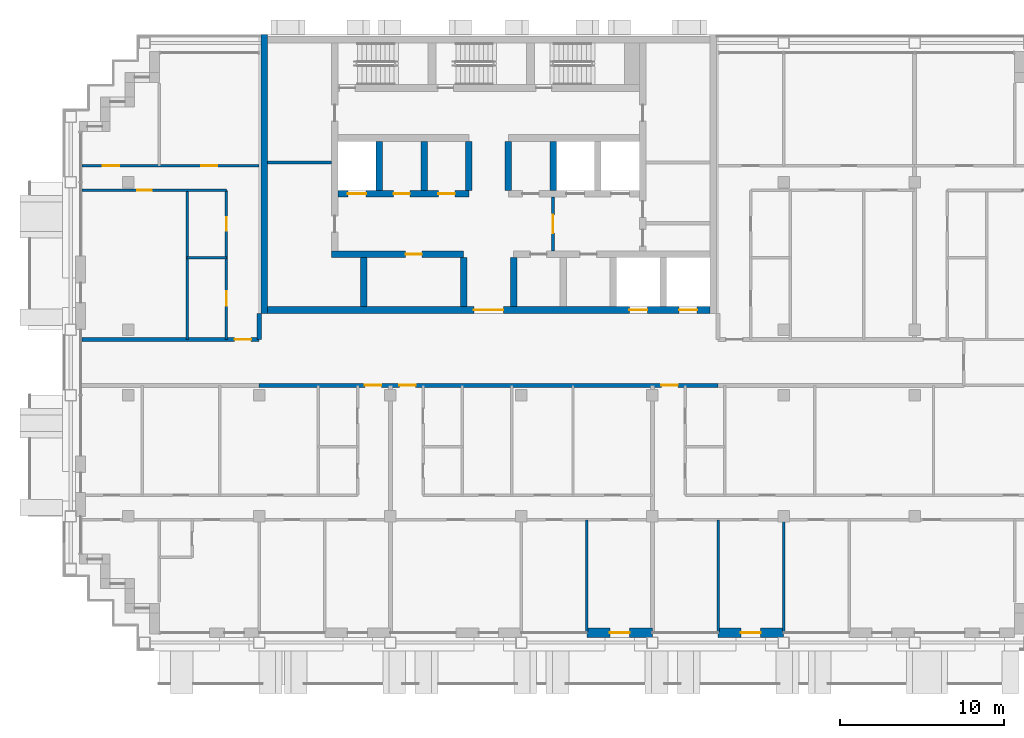
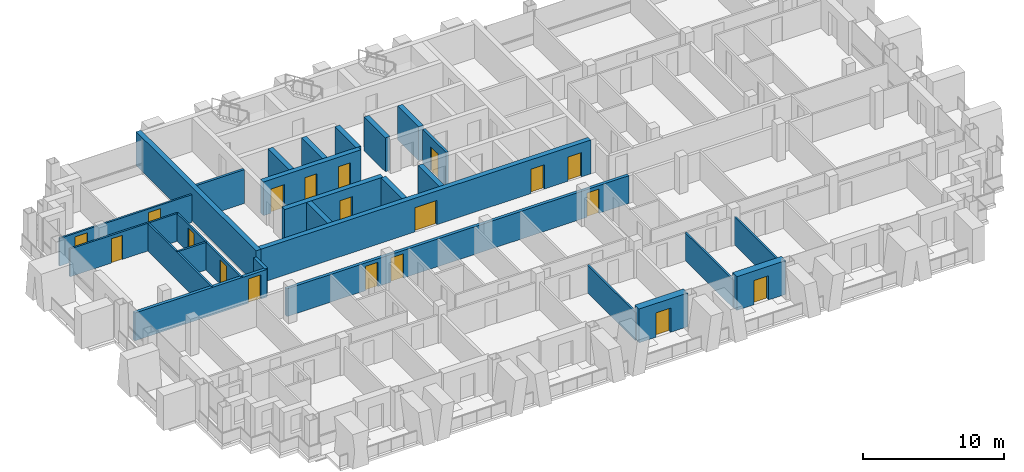
# One storey, part 9 of 16: 27 walls, 19 doors, 19 openings.
"""IFC4 building model written with IfcOpenShell, lengths in metres."""

from ifc_helpers import new_model, si_unit, direction, frame, frame_2d, origin, place, context, subcontext, project, spatial, rectangle, extrude, material, layer, layer_set, type_object, element, fill, save


model = new_model("IFC4")

# Units and contexts
model_context = context("Model", 3, precision=1e-05, world=origin(), true_north=direction((0.0, 1.0)))
body_context = subcontext(model_context, "Body", "Model", "MODEL_VIEW")
ifc_project = project(units=[si_unit("LENGTHUNIT", "METRE"), si_unit("AREAUNIT", "SQUARE_METRE"), si_unit("VOLUMEUNIT", "CUBIC_METRE"), si_unit("PLANEANGLEUNIT", "RADIAN"), si_unit("MASSUNIT", "GRAM", prefix="KILO")], contexts=[model_context])

# Site, building, storey
site_placement = place(None, origin())
site = spatial("IfcSite", under=ifc_project, at=site_placement, CompositionType="ELEMENT")
building_placement = place(site_placement, origin())
building = spatial("IfcBuilding", under=site, at=building_placement, Name="Vidyagriha Tower", CompositionType="ELEMENT")
storey_placement = place(building_placement, frame((0.0, 0.0, 171.699951171875)))
storey = spatial("IfcBuildingStorey", under=building, at=storey_placement, Name="L44", CompositionType="ELEMENT", Elevation=171.699951171875)

# Wall, opening, door
ifc_material_1 = material(Name="Precast concrete C40/50 with brick facing", Category="concrete")
ifc_layer_1 = layer(ifc_material_1, 0.60009765625)
ifc_layer_set_1 = layer_set([ifc_layer_1], Name="Precast concrete C40/50 with brick facing")
wall_type_1 = type_object("IfcWallType", Name="Brick-faced precast wall 600", PredefinedType="STANDARD", material=ifc_layer_set_1)
wall_1_placement = place(storey_placement, frame((6.0, -16.5, 0.0)))
wall_1 = element("IfcWall", 1, at=wall_1_placement, inside=storey, type_object=wall_type_1, Name="Brick door bay wall L44 R23.8", PredefinedType="STANDARD", context=body_context, shape_type="SweptSolid", body=[
    extrude(rectangle(XDim=4.0, YDim=0.60009765625, at=frame_2d((2.0, 0.0))), origin(), (0.0, 0.0, 1.0), 2.920166015625),
])
opening_1_placement = place(wall_1_placement, frame((1.39990234375, 0.0, 0.0)))
opening_1 = element("IfcOpeningElement", 2, at=opening_1_placement, cuts=wall_1, Name="Opening D44-73", PredefinedType="OPENING", context=body_context, shape_type="SweptSolid", body=[
    extrude(rectangle(XDim=1.199951171875, YDim=2.10009765625, at=frame_2d((0.60009765625, 1.050048828125))), frame((0.0, 0.31005859375, 0.0), z_axis=(0.0, -1.0, 0.0), x_axis=(1.0, 0.0, 0.0)), (0.0, 0.0, 1.0), 0.6201171875),
])
ifc_material_2 = material(Name="Aluminium framed glazed sliding door", Category="aluminium")
door_type_1 = type_object("IfcDoorType", Name="Balcony sliding door 1200x2100", OperationType="NOTDEFINED", PredefinedType="DOOR", material=ifc_material_2)
door_1_placement = place(opening_1_placement, origin())
door_1 = element("IfcDoor", 3, at=door_1_placement, inside=storey, type_object=door_type_1, Name="Door D44-73", OperationType="SLIDING_TO_LEFT", OverallHeight=2.10009765625, OverallWidth=1.199951171875, PredefinedType="DOOR", context=body_context, shape_type="SweptSolid", body=[
    extrude(rectangle(XDim=1.199951171875, YDim=2.10009765625, at=frame_2d((0.60009765625, 1.050048828125))), frame((0.0, 0.02490234375, 0.0), z_axis=(0.0, -1.0, 0.0), x_axis=(1.0, 0.0, 0.0)), (0.0, 0.0, 1.0), 0.050048828125),
])
fill(opening_1, door_1)

wall_2_placement = place(storey_placement, frame((14.0, -16.5, 0.0)))
wall_2 = element("IfcWall", 4, at=wall_2_placement, inside=storey, type_object=wall_type_1, Name="Brick door bay wall L44 R23.10", PredefinedType="STANDARD", context=body_context, shape_type="SweptSolid", body=[
    extrude(rectangle(XDim=4.0, YDim=0.60009765625, at=frame_2d((2.0, 0.0))), origin(), (0.0, 0.0, 1.0), 2.920166015625),
])
opening_2_placement = place(wall_2_placement, frame((1.39990234375, 0.0, 0.0)))
opening_2 = element("IfcOpeningElement", 5, at=opening_2_placement, cuts=wall_2, Name="Opening D44-74", PredefinedType="OPENING", context=body_context, shape_type="SweptSolid", body=[
    extrude(rectangle(XDim=1.199951171875, YDim=2.10009765625, at=frame_2d((0.60009765625, 1.050048828125))), frame((0.0, 0.31005859375, 0.0), z_axis=(0.0, -1.0, 0.0), x_axis=(1.0, 0.0, 0.0)), (0.0, 0.0, 1.0), 0.6201171875),
])
door_2_placement = place(opening_2_placement, origin())
door_2 = element("IfcDoor", 6, at=door_2_placement, inside=storey, type_object=door_type_1, Name="Door D44-74", OperationType="SLIDING_TO_LEFT", OverallHeight=2.10009765625, OverallWidth=1.199951171875, PredefinedType="DOOR", context=body_context, shape_type="SweptSolid", body=[
    extrude(rectangle(XDim=1.199951171875, YDim=2.10009765625, at=frame_2d((0.60009765625, 1.050048828125))), frame((0.0, 0.02490234375, 0.0), z_axis=(0.0, -1.0, 0.0), x_axis=(1.0, 0.0, 0.0)), (0.0, 0.0, 1.0), 0.050048828125),
])
fill(opening_2, door_2)

# Wall
ifc_material_3 = material(Name="Concrete C60/75", Category="concrete")
ifc_layer_2 = layer(ifc_material_3, 0.39990234375)
ifc_layer_set_2 = layer_set([ifc_layer_2], Name="Concrete C60/75")
wall_type_2 = type_object("IfcWallType", Name="Core shear wall 400 mm", PredefinedType="SHEAR", material=ifc_layer_set_2)
wall_3_placement = place(storey_placement, frame((-13.699951171875, 3.0, 0.0), z_axis=(0.0, 0.0, 1.0), x_axis=(0.0, 1.0, 0.0)))
element("IfcWall", 7, at=wall_3_placement, inside=storey, type_object=wall_type_2, Name="Core west wall", PredefinedType="SHEAR", context=body_context, shape_type="SweptSolid", body=[
    extrude(rectangle(XDim=17.0, YDim=0.39990234375, at=frame_2d((8.5, 0.0))), origin(), (0.0, 0.0, 1.0), 2.920166015625),
])

# Wall, openings, doors
wall_4_placement = place(storey_placement, frame((-13.5, 3.199951171875, 0.0)))
wall_4 = element("IfcWall", 8, at=wall_4_placement, inside=storey, type_object=wall_type_2, Name="Core front wall", PredefinedType="SHEAR", context=body_context, shape_type="SweptSolid", body=[
    extrude(rectangle(XDim=27.0, YDim=0.39990234375, at=frame_2d((13.5, 0.0))), origin(), (0.0, 0.0, 1.0), 2.920166015625),
])
opening_3_placement = place(wall_4_placement, frame((22.083251953125, 0.0, 0.0)))
opening_3 = element("IfcOpeningElement", 9, at=opening_3_placement, cuts=wall_4, Name="Opening LD44-01", PredefinedType="OPENING", context=body_context, shape_type="SweptSolid", body=[
    extrude(rectangle(XDim=1.10009765625, YDim=2.10009765625, at=frame_2d((0.550048828125, 1.050048828125))), frame((0.0, 0.2099609375, 0.0), z_axis=(0.0, -1.0, 0.0), x_axis=(1.0, 0.0, 0.0)), (0.0, 0.0, 1.0), 0.419921875),
])
opening_4_placement = place(wall_4_placement, frame((25.127685546875, 0.0, 0.0)))
opening_4 = element("IfcOpeningElement", 10, at=opening_4_placement, cuts=wall_4, Name="Opening LD44-02", PredefinedType="OPENING", context=body_context, shape_type="SweptSolid", body=[
    extrude(rectangle(XDim=1.10009765625, YDim=2.10009765625, at=frame_2d((0.550048828125, 1.050048828125))), frame((0.0, 0.2099609375, 0.0), z_axis=(0.0, -1.0, 0.0), x_axis=(1.0, 0.0, 0.0)), (0.0, 0.0, 1.0), 0.419921875),
])
opening_5_placement = place(wall_4_placement, frame((12.60009765625, 0.0, 0.0)))
opening_5 = element("IfcOpeningElement", 11, at=opening_5_placement, cuts=wall_4, Name="Opening D44-01", PredefinedType="OPENING", context=body_context, shape_type="SweptSolid", body=[
    extrude(rectangle(XDim=1.800048828125, YDim=2.10009765625, at=frame_2d((0.89990234375, 1.050048828125))), frame((0.0, 0.2099609375, 0.0), z_axis=(0.0, -1.0, 0.0), x_axis=(1.0, 0.0, 0.0)), (0.0, 0.0, 1.0), 0.419921875),
])
ifc_material_4 = material(Name="Hollow metal door leaf")
door_type_2 = type_object("IfcDoorType", Name="Core lobby double door 1800 x 2100 mm EI 60", OperationType="NOTDEFINED", PredefinedType="DOOR", material=ifc_material_4)
door_3_placement = place(opening_5_placement, frame((1.800048828125, 0.0, 0.0), z_axis=(0.0, 0.0, 1.0), x_axis=(-1.0, 0.0, 0.0)))
door_3 = element("IfcDoor", 12, at=door_3_placement, inside=storey, type_object=door_type_2, Name="Core entrance door L44", OperationType="DOUBLE_DOOR_SINGLE_SWING", OverallHeight=2.10009765625, OverallWidth=1.800048828125, PredefinedType="DOOR", context=body_context, shape_type="SweptSolid", body=[
    extrude(rectangle(XDim=1.800048828125, YDim=2.10009765625, at=frame_2d((0.89990234375, 1.050048828125))), frame((0.0, 0.02490234375, 0.0), z_axis=(0.0, -1.0, 0.0), x_axis=(1.0, 0.0, 0.0)), (0.0, 0.0, 1.0), 0.050048828125),
])
fill(opening_5, door_3)
ifc_material_5 = material(Name="Stainless steel sliding door panel", Category="steel")
door_type_3 = type_object("IfcDoorType", Name="Lift landing door 1100 x 2100 mm EI 90", OperationType="NOTDEFINED", PredefinedType="DOOR", material=ifc_material_5)
door_4_placement = place(opening_3_placement, origin())
door_4 = element("IfcDoor", 13, at=door_4_placement, inside=storey, type_object=door_type_3, Name="Landing door MR1 L44", OperationType="SLIDING_TO_LEFT", OverallHeight=2.10009765625, OverallWidth=1.10009765625, PredefinedType="DOOR", context=body_context, shape_type="SweptSolid", body=[
    extrude(rectangle(XDim=1.10009765625, YDim=2.10009765625, at=frame_2d((0.550048828125, 1.050048828125))), frame((0.0, 0.02490234375, 0.0), z_axis=(0.0, -1.0, 0.0), x_axis=(1.0, 0.0, 0.0)), (0.0, 0.0, 1.0), 0.050048828125),
])
fill(opening_3, door_4)
door_5_placement = place(opening_4_placement, origin())
door_5 = element("IfcDoor", 14, at=door_5_placement, inside=storey, type_object=door_type_3, Name="Landing door MR2 L44", OperationType="SLIDING_TO_LEFT", OverallHeight=2.10009765625, OverallWidth=1.10009765625, PredefinedType="DOOR", context=body_context, shape_type="SweptSolid", body=[
    extrude(rectangle(XDim=1.10009765625, YDim=2.10009765625, at=frame_2d((0.550048828125, 1.050048828125))), frame((0.0, 0.02490234375, 0.0), z_axis=(0.0, -1.0, 0.0), x_axis=(1.0, 0.0, 0.0)), (0.0, 0.0, 1.0), 0.050048828125),
])
fill(opening_4, door_5)

# Wall, opening, door
wall_5_placement = place(storey_placement, frame((-9.60009765625, 6.60009765625, 0.0)))
wall_5 = element("IfcWall", 15, at=wall_5_placement, inside=storey, type_object=wall_type_2, Name="Core lobby south wall west", PredefinedType="SHEAR", context=body_context, shape_type="SweptSolid", body=[
    extrude(rectangle(XDim=8.077880859375, YDim=0.39990234375, at=frame_2d((4.0390625, 0.0))), origin(), (0.0, 0.0, 1.0), 2.920166015625),
])
opening_6_placement = place(wall_5_placement, frame((4.533203125, 0.0, 0.0)))
opening_6 = element("IfcOpeningElement", 16, at=opening_6_placement, cuts=wall_5, Name="Opening D44-02", PredefinedType="OPENING", context=body_context, shape_type="SweptSolid", body=[
    extrude(rectangle(XDim=1.0, YDim=2.10009765625, at=frame_2d((0.5, 1.050048828125))), frame((0.0, 0.2099609375, 0.0), z_axis=(0.0, -1.0, 0.0), x_axis=(1.0, 0.0, 0.0)), (0.0, 0.0, 1.0), 0.419921875),
])
ifc_material_6 = material(Name="Hollow metal door leaf")
door_type_4 = type_object("IfcDoorType", Name="Core room door 1000 x 2100 mm EI 60", OperationType="NOTDEFINED", PredefinedType="DOOR", material=ifc_material_6)
door_6_placement = place(opening_6_placement, origin())
door_6 = element("IfcDoor", 17, at=door_6_placement, inside=storey, type_object=door_type_4, Name="Door Communications Room 44.01", OperationType="SINGLE_SWING_RIGHT", OverallHeight=2.10009765625, OverallWidth=1.0, PredefinedType="DOOR", context=body_context, shape_type="SweptSolid", body=[
    extrude(rectangle(XDim=1.0, YDim=2.10009765625, at=frame_2d((0.5, 1.050048828125))), frame((0.0, 0.02490234375, 0.0), z_axis=(0.0, -1.0, 0.0), x_axis=(1.0, 0.0, 0.0)), (0.0, 0.0, 1.0), 0.050048828125),
])
fill(opening_6, door_6)

# Walls
for number, where, z_axis, x_axis, name in (
    (18, (-7.611083984375, 3.39990234375, 0.0), (0.0, 0.0, 1.0), (0.0, 1.0, 0.0), "Core bay wall S2"),
    (19, (-1.522216796875, 3.39990234375, 0.0), (0.0, 0.0, 1.0), (0.0, 1.0, 0.0), "Core bay wall S4"),
    (20, (1.522216796875, 3.39990234375, 0.0), (0.0, 0.0, 1.0), (0.0, 1.0, 0.0), "Core bay wall S5"),
):
    element("IfcWall", number, at=place(storey_placement, frame(where, z_axis=z_axis, x_axis=x_axis)), inside=storey, type_object=wall_type_2, Name=name, PredefinedType="SHEAR", context=body_context, shape_type="SweptSolid", body=[
        extrude(rectangle(XDim=3.0, YDim=0.39990234375, at=frame_2d((1.5, 0.0))), origin(), (0.0, 0.0, 1.0), 2.920166015625),
    ])

# Wall, openings, doors
wall_6_placement = place(storey_placement, frame((-9.199951171875, 10.300048828125, 0.0)))
wall_6 = element("IfcWall", 21, at=wall_6_placement, inside=storey, type_object=wall_type_2, Name="Core row N front wall", PredefinedType="SHEAR", context=body_context, shape_type="SweptSolid", body=[
    extrude(rectangle(XDim=8.0, YDim=0.39990234375, at=frame_2d((4.0, 0.0))), origin(), (0.0, 0.0, 1.0), 2.920166015625),
])
opening_7_placement = place(wall_6_placement, frame((0.61669921875, 0.0, 0.0)))
opening_7 = element("IfcOpeningElement", 22, at=opening_7_placement, cuts=wall_6, Name="Opening LD44-03", PredefinedType="OPENING", context=body_context, shape_type="SweptSolid", body=[
    extrude(rectangle(XDim=1.10009765625, YDim=2.10009765625, at=frame_2d((0.550048828125, 1.050048828125))), frame((0.0, 0.2099609375, 0.0), z_axis=(0.0, -1.0, 0.0), x_axis=(1.0, 0.0, 0.0)), (0.0, 0.0, 1.0), 0.419921875),
])
opening_8_placement = place(wall_6_placement, frame((3.39990234375, 0.0, 0.0)))
opening_8 = element("IfcOpeningElement", 23, at=opening_8_placement, cuts=wall_6, Name="Opening D44-05", PredefinedType="OPENING", context=body_context, shape_type="SweptSolid", body=[
    extrude(rectangle(XDim=1.0, YDim=2.10009765625, at=frame_2d((0.5, 1.050048828125))), frame((0.0, 0.2099609375, 0.0), z_axis=(0.0, -1.0, 0.0), x_axis=(1.0, 0.0, 0.0)), (0.0, 0.0, 1.0), 0.419921875),
])
opening_9_placement = place(wall_6_placement, frame((6.13330078125, 0.0, 0.0)))
opening_9 = element("IfcOpeningElement", 24, at=opening_9_placement, cuts=wall_6, Name="Opening D44-06", PredefinedType="OPENING", context=body_context, shape_type="SweptSolid", body=[
    extrude(rectangle(XDim=1.0, YDim=2.10009765625, at=frame_2d((0.5, 1.050048828125))), frame((0.0, 0.2099609375, 0.0), z_axis=(0.0, -1.0, 0.0), x_axis=(1.0, 0.0, 0.0)), (0.0, 0.0, 1.0), 0.419921875),
])
door_7_placement = place(opening_8_placement, frame((1.0, 0.0, 0.0), z_axis=(0.0, 0.0, 1.0), x_axis=(-1.0, 0.0, 0.0)))
door_7 = element("IfcDoor", 25, at=door_7_placement, inside=storey, type_object=door_type_4, Name="Door Switchgear Room 44.14", OperationType="SINGLE_SWING_RIGHT", OverallHeight=2.10009765625, OverallWidth=1.0, PredefinedType="DOOR", context=body_context, shape_type="SweptSolid", body=[
    extrude(rectangle(XDim=1.0, YDim=2.10009765625, at=frame_2d((0.5, 1.050048828125))), frame((0.0, 0.02490234375, 0.0), z_axis=(0.0, -1.0, 0.0), x_axis=(1.0, 0.0, 0.0)), (0.0, 0.0, 1.0), 0.050048828125),
])
fill(opening_8, door_7)
door_8_placement = place(opening_9_placement, frame((1.0, 0.0, 0.0), z_axis=(0.0, 0.0, 1.0), x_axis=(-1.0, 0.0, 0.0)))
door_8 = element("IfcDoor", 26, at=door_8_placement, inside=storey, type_object=door_type_4, Name="Door Electrical Room 44.15", OperationType="SINGLE_SWING_LEFT", OverallHeight=2.10009765625, OverallWidth=1.0, PredefinedType="DOOR", context=body_context, shape_type="SweptSolid", body=[
    extrude(rectangle(XDim=1.0, YDim=2.10009765625, at=frame_2d((0.5, 1.050048828125))), frame((0.0, 0.02490234375, 0.0), z_axis=(0.0, -1.0, 0.0), x_axis=(1.0, 0.0, 0.0)), (0.0, 0.0, 1.0), 0.050048828125),
])
fill(opening_9, door_8)
door_9_placement = place(opening_7_placement, origin())
door_9 = element("IfcDoor", 27, at=door_9_placement, inside=storey, type_object=door_type_3, Name="Landing door MR3 L44", OperationType="SLIDING_TO_LEFT", OverallHeight=2.10009765625, OverallWidth=1.10009765625, PredefinedType="DOOR", context=body_context, shape_type="SweptSolid", body=[
    extrude(rectangle(XDim=1.10009765625, YDim=2.10009765625, at=frame_2d((0.550048828125, 1.050048828125))), frame((0.0, 0.02490234375, 0.0), z_axis=(0.0, -1.0, 0.0), x_axis=(1.0, 0.0, 0.0)), (0.0, 0.0, 1.0), 0.050048828125),
])
fill(opening_7, door_9)

# Walls
for number, where, z_axis, x_axis, name in (
    (28, (-6.666748046875, 10.5, 0.0), (0.0, 0.0, 1.0), (0.0, 1.0, 0.0), "Core bay wall N1"),
    (29, (-3.933349609375, 10.5, 0.0), (0.0, 0.0, 1.0), (0.0, 1.0, 0.0), "Core bay wall N2"),
    (30, (-1.199951171875, 10.5, 0.0), (0.0, 0.0, 1.0), (0.0, 1.0, 0.0), "Core bay wall N3"),
    (31, (1.199951171875, 10.5, 0.0), (0.0, 0.0, 1.0), (0.0, 1.0, 0.0), "Core bay wall N4"),
    (32, (3.933349609375, 10.5, 0.0), (0.0, 0.0, 1.0), (0.0, 1.0, 0.0), "Core bay wall N5"),
):
    element("IfcWall", number, at=place(storey_placement, frame(where, z_axis=z_axis, x_axis=x_axis)), inside=storey, type_object=wall_type_2, Name=name, PredefinedType="SHEAR", context=body_context, shape_type="SweptSolid", body=[
        extrude(rectangle(XDim=3.0, YDim=0.39990234375, at=frame_2d((1.5, 0.0))), origin(), (0.0, 0.0, 1.0), 2.920166015625),
    ])

# Wall, opening, door
ifc_material_7 = material(Name="Fired clay brick masonry", Category="masonry")
ifc_layer_3 = layer(ifc_material_7, 0.25)
ifc_layer_set_3 = layer_set([ifc_layer_3], Name="Fired clay brick masonry")
wall_type_3 = type_object("IfcWallType", Name="Fired clay brick corridor wall 250", PredefinedType="PARTITIONING", material=ifc_layer_set_3)
wall_7_placement = place(storey_placement, frame((-24.820068359375, 1.39990234375, 0.0)))
wall_7 = element("IfcWall", 33, at=wall_7_placement, inside=storey, type_object=wall_type_3, Name="Wall all-L44-w081", PredefinedType="PARTITIONING", context=body_context, shape_type="SweptSolid", body=[
    extrude(rectangle(XDim=10.820068359375, YDim=0.25, at=frame_2d((5.41015625, 0.0))), origin(), (0.0, 0.0, 1.0), 2.400146484375),
])
opening_10_placement = place(wall_7_placement, frame((9.320068359375, 0.0, 0.0)))
opening_10 = element("IfcOpeningElement", 34, at=opening_10_placement, cuts=wall_7, Name="Opening D44-53", PredefinedType="OPENING", context=body_context, shape_type="SweptSolid", body=[
    extrude(rectangle(XDim=1.0, YDim=2.10009765625, at=frame_2d((0.5, 1.050048828125))), frame((0.0, 0.135009765625, 0.0), z_axis=(0.0, -1.0, 0.0), x_axis=(1.0, 0.0, 0.0)), (0.0, 0.0, 1.0), 0.27001953125),
])
ifc_material_8 = material(Name="Fire-rated timber door leaf EI 60", Category="wood")
door_type_5 = type_object("IfcDoorType", Name="Flat entrance fire door 1000x2100", OperationType="NOTDEFINED", PredefinedType="DOOR", material=ifc_material_8)
door_10_placement = place(opening_10_placement, origin())
door_10 = element("IfcDoor", 35, at=door_10_placement, inside=storey, type_object=door_type_5, Name="Door D44-53", OperationType="SINGLE_SWING_RIGHT", OverallHeight=2.10009765625, OverallWidth=1.0, PredefinedType="DOOR", context=body_context, shape_type="SweptSolid", body=[
    extrude(rectangle(XDim=1.0, YDim=2.10009765625, at=frame_2d((0.5, 1.050048828125))), frame((0.0, 0.02490234375, 0.0), z_axis=(0.0, -1.0, 0.0), x_axis=(1.0, 0.0, 0.0)), (0.0, 0.0, 1.0), 0.050048828125),
])
fill(opening_10, door_10)

# Wall, openings, doors
wall_8_placement = place(storey_placement, frame((14.0, -1.39990234375, 0.0), z_axis=(0.0, 0.0, 1.0), x_axis=(-1.0, 0.0, 0.0)))
wall_8 = element("IfcWall", 36, at=wall_8_placement, inside=storey, type_object=wall_type_3, Name="Wall all-L44-w113", PredefinedType="PARTITIONING", context=body_context, shape_type="SweptSolid", body=[
    extrude(rectangle(XDim=28.0, YDim=0.25, at=frame_2d((14.0, 0.0))), origin(), (0.0, 0.0, 1.0), 2.400146484375),
])
opening_11_placement = place(wall_8_placement, frame((20.547119140625, 0.0, 0.0)))
opening_11 = element("IfcOpeningElement", 37, at=opening_11_placement, cuts=wall_8, Name="Opening D44-27", PredefinedType="OPENING", context=body_context, shape_type="SweptSolid", body=[
    extrude(rectangle(XDim=1.0, YDim=2.10009765625, at=frame_2d((0.5, 1.050048828125))), frame((0.0, 0.135009765625, 0.0), z_axis=(0.0, -1.0, 0.0), x_axis=(1.0, 0.0, 0.0)), (0.0, 0.0, 1.0), 0.27001953125),
])
opening_12_placement = place(wall_8_placement, frame((18.452880859375, 0.0, 0.0)))
opening_12 = element("IfcOpeningElement", 38, at=opening_12_placement, cuts=wall_8, Name="Opening D44-36", PredefinedType="OPENING", context=body_context, shape_type="SweptSolid", body=[
    extrude(rectangle(XDim=1.0, YDim=2.10009765625, at=frame_2d((0.5, 1.050048828125))), frame((0.0, 0.135009765625, 0.0), z_axis=(0.0, -1.0, 0.0), x_axis=(1.0, 0.0, 0.0)), (0.0, 0.0, 1.0), 0.27001953125),
])
opening_13_placement = place(wall_8_placement, frame((2.452880859375, 0.0, 0.0)))
opening_13 = element("IfcOpeningElement", 39, at=opening_13_placement, cuts=wall_8, Name="Opening D44-47", PredefinedType="OPENING", context=body_context, shape_type="SweptSolid", body=[
    extrude(rectangle(XDim=1.0, YDim=2.10009765625, at=frame_2d((0.5, 1.050048828125))), frame((0.0, 0.135009765625, 0.0), z_axis=(0.0, -1.0, 0.0), x_axis=(1.0, 0.0, 0.0)), (0.0, 0.0, 1.0), 0.27001953125),
])
door_11_placement = place(opening_11_placement, origin())
door_11 = element("IfcDoor", 40, at=door_11_placement, inside=storey, type_object=door_type_5, Name="Door D44-27", OperationType="SINGLE_SWING_LEFT", OverallHeight=2.10009765625, OverallWidth=1.0, PredefinedType="DOOR", context=body_context, shape_type="SweptSolid", body=[
    extrude(rectangle(XDim=1.0, YDim=2.10009765625, at=frame_2d((0.5, 1.050048828125))), frame((0.0, 0.02490234375, 0.0), z_axis=(0.0, -1.0, 0.0), x_axis=(1.0, 0.0, 0.0)), (0.0, 0.0, 1.0), 0.050048828125),
])
fill(opening_11, door_11)
door_12_placement = place(opening_12_placement, origin())
door_12 = element("IfcDoor", 41, at=door_12_placement, inside=storey, type_object=door_type_5, Name="Door D44-36", OperationType="SINGLE_SWING_RIGHT", OverallHeight=2.10009765625, OverallWidth=1.0, PredefinedType="DOOR", context=body_context, shape_type="SweptSolid", body=[
    extrude(rectangle(XDim=1.0, YDim=2.10009765625, at=frame_2d((0.5, 1.050048828125))), frame((0.0, 0.02490234375, 0.0), z_axis=(0.0, -1.0, 0.0), x_axis=(1.0, 0.0, 0.0)), (0.0, 0.0, 1.0), 0.050048828125),
])
fill(opening_12, door_12)
door_13_placement = place(opening_13_placement, origin())
door_13 = element("IfcDoor", 42, at=door_13_placement, inside=storey, type_object=door_type_5, Name="Door D44-47", OperationType="SINGLE_SWING_RIGHT", OverallHeight=2.10009765625, OverallWidth=1.0, PredefinedType="DOOR", context=body_context, shape_type="SweptSolid", body=[
    extrude(rectangle(XDim=1.0, YDim=2.10009765625, at=frame_2d((0.5, 1.050048828125))), frame((0.0, 0.02490234375, 0.0), z_axis=(0.0, -1.0, 0.0), x_axis=(1.0, 0.0, 0.0)), (0.0, 0.0, 1.0), 0.050048828125),
])
fill(opening_13, door_13)

# Walls
wall_9_placement = place(storey_placement, frame((-14.0, 3.0, 0.0), z_axis=(0.0, 0.0, 1.0), x_axis=(0.0, -1.0, 0.0)))
element("IfcWall", 43, at=wall_9_placement, inside=storey, type_object=wall_type_3, Name="Wall all-L44-w114", PredefinedType="PARTITIONING", context=body_context, shape_type="SweptSolid", body=[
    extrude(rectangle(XDim=1.60009765625, YDim=0.25, at=frame_2d((0.800048828125, 0.0))), origin(), (0.0, 0.0, 1.0), 2.400146484375),
])
ifc_material_9 = material(Name="Gypsum board partition")
ifc_layer_4 = layer(ifc_material_9, 0.14990234375)
ifc_layer_set_4 = layer_set([ifc_layer_4], Name="Gypsum board partition")
wall_type_4 = type_object("IfcWallType", Name="Gypsum board partition 150", PredefinedType="PARTITIONING", material=ifc_layer_set_4)
for number, where, z_axis, x_axis, name in (
    (44, (6.0, -9.60009765625, 0.0), (0.0, 0.0, 1.0), (0.0, -1.0, 0.0), "Wall all-L44-w040"),
    (45, (14.0, -9.60009765625, 0.0), (0.0, 0.0, 1.0), (0.0, -1.0, 0.0), "Wall all-L44-w060"),
):
    element("IfcWall", number, at=place(storey_placement, frame(where, z_axis=z_axis, x_axis=x_axis)), inside=storey, type_object=wall_type_4, Name=name, PredefinedType="PARTITIONING", context=body_context, shape_type="SweptSolid", body=[
        extrude(rectangle(XDim=6.82080078125, YDim=0.14990234375, at=frame_2d((3.410400390625, 0.0))), origin(), (0.0, 0.0, 1.0), 2.400146484375),
    ])
wall_10_placement = place(storey_placement, frame((18.0, -9.60009765625, 0.0), z_axis=(0.0, 0.0, 1.0), x_axis=(0.0, -1.0, 0.0)))
element("IfcWall", 46, at=wall_10_placement, inside=storey, type_object=wall_type_4, Name="Wall all-L44-w061", PredefinedType="PARTITIONING", context=body_context, shape_type="SweptSolid", body=[
    extrude(rectangle(XDim=6.809814453125, YDim=0.14990234375, at=frame_2d((3.40478515625, 0.0))), origin(), (0.0, 0.0, 1.0), 2.400146484375),
])
wall_11_placement = place(storey_placement, frame((-18.39990234375, 6.39990234375, 0.0)))
element("IfcWall", 47, at=wall_11_placement, inside=storey, type_object=wall_type_4, Name="Wall all-L44-w072", PredefinedType="PARTITIONING", context=body_context, shape_type="SweptSolid", body=[
    extrude(rectangle(XDim=2.39990234375, YDim=0.14990234375, at=frame_2d((1.199951171875, 0.0))), origin(), (0.0, 0.0, 1.0), 2.400146484375),
])
wall_12_placement = place(storey_placement, frame((-18.39990234375, 1.39990234375, 0.0), z_axis=(0.0, 0.0, 1.0), x_axis=(0.0, 1.0, 0.0)))
element("IfcWall", 48, at=wall_12_placement, inside=storey, type_object=wall_type_4, Name="Wall all-L44-w073", PredefinedType="PARTITIONING", context=body_context, shape_type="SweptSolid", body=[
    extrude(rectangle(XDim=9.10009765625, YDim=0.14990234375, at=frame_2d((4.550048828125, 0.0))), origin(), (0.0, 0.0, 1.0), 2.400146484375),
])

# Wall, opening, door
wall_13_placement = place(storey_placement, frame((-16.0, 10.5, 0.0), z_axis=(0.0, 0.0, 1.0), x_axis=(-1.0, 0.0, 0.0)))
wall_13 = element("IfcWall", 49, at=wall_13_placement, inside=storey, type_object=wall_type_4, Name="Wall all-L44-w074", PredefinedType="PARTITIONING", context=body_context, shape_type="SweptSolid", body=[
    extrude(rectangle(XDim=8.820068359375, YDim=0.14990234375, at=frame_2d((4.41015625, 0.0))), origin(), (0.0, 0.0, 1.0), 2.400146484375),
])
opening_14_placement = place(wall_13_placement, frame((4.552978515625, 0.0, 0.0)))
opening_14 = element("IfcOpeningElement", 50, at=opening_14_placement, cuts=wall_13, Name="Opening D44-50", PredefinedType="OPENING", context=body_context, shape_type="SweptSolid", body=[
    extrude(rectangle(XDim=0.89990234375, YDim=2.10009765625, at=frame_2d((0.449951171875, 1.050048828125))), frame((0.0, 0.0849609375, 0.0), z_axis=(0.0, -1.0, 0.0), x_axis=(1.0, 0.0, 0.0)), (0.0, 0.0, 1.0), 0.169921875),
])
ifc_material_10 = material(Name="Timber door leaf", Category="wood")
door_type_6 = type_object("IfcDoorType", Name="Room door 900x2100", OperationType="NOTDEFINED", PredefinedType="DOOR", material=ifc_material_10)
door_14_placement = place(opening_14_placement, origin())
door_14 = element("IfcDoor", 51, at=door_14_placement, inside=storey, type_object=door_type_6, Name="Door D44-50", OperationType="SINGLE_SWING_LEFT", OverallHeight=2.10009765625, OverallWidth=0.89990234375, PredefinedType="DOOR", context=body_context, shape_type="SweptSolid", body=[
    extrude(rectangle(XDim=0.89990234375, YDim=2.10009765625, at=frame_2d((0.449951171875, 1.050048828125))), frame((0.0, 0.02490234375, 0.0), z_axis=(0.0, -1.0, 0.0), x_axis=(1.0, 0.0, 0.0)), (0.0, 0.0, 1.0), 0.050048828125),
])
fill(opening_14, door_14)

# Wall, openings, doors
wall_14_placement = place(storey_placement, frame((-24.820068359375, 12.0, 0.0)))
wall_14 = element("IfcWall", 52, at=wall_14_placement, inside=storey, type_object=wall_type_4, Name="Wall all-L44-w076", PredefinedType="PARTITIONING", context=body_context, shape_type="SweptSolid", body=[
    extrude(rectangle(XDim=10.820068359375, YDim=0.14990234375, at=frame_2d((5.41015625, 0.0))), origin(), (0.0, 0.0, 1.0), 2.400146484375),
])
opening_15_placement = place(wall_14_placement, frame((1.27294921875, 0.0, 0.0)))
opening_15 = element("IfcOpeningElement", 53, at=opening_15_placement, cuts=wall_14, Name="Opening D44-51", PredefinedType="OPENING", context=body_context, shape_type="SweptSolid", body=[
    extrude(rectangle(XDim=1.0, YDim=2.10009765625, at=frame_2d((0.5, 1.050048828125))), frame((0.0, 0.0849609375, 0.0), z_axis=(0.0, -1.0, 0.0), x_axis=(1.0, 0.0, 0.0)), (0.0, 0.0, 1.0), 0.169921875),
])
opening_16_placement = place(wall_14_placement, frame((7.27001953125, 0.0, 0.0)))
opening_16 = element("IfcOpeningElement", 54, at=opening_16_placement, cuts=wall_14, Name="Opening D44-52", PredefinedType="OPENING", context=body_context, shape_type="SweptSolid", body=[
    extrude(rectangle(XDim=1.0, YDim=2.10009765625, at=frame_2d((0.5, 1.050048828125))), frame((0.0, 0.0849609375, 0.0), z_axis=(0.0, -1.0, 0.0), x_axis=(1.0, 0.0, 0.0)), (0.0, 0.0, 1.0), 0.169921875),
])
ifc_material_11 = material(Name="Timber door leaf", Category="wood")
door_type_7 = type_object("IfcDoorType", Name="Room door 1000x2100", OperationType="NOTDEFINED", PredefinedType="DOOR", material=ifc_material_11)
door_15_placement = place(opening_15_placement, origin())
door_15 = element("IfcDoor", 55, at=door_15_placement, inside=storey, type_object=door_type_7, Name="Door D44-51", OperationType="SINGLE_SWING_LEFT", OverallHeight=2.10009765625, OverallWidth=1.0, PredefinedType="DOOR", context=body_context, shape_type="SweptSolid", body=[
    extrude(rectangle(XDim=1.0, YDim=2.10009765625, at=frame_2d((0.5, 1.050048828125))), frame((0.0, 0.02490234375, 0.0), z_axis=(0.0, -1.0, 0.0), x_axis=(1.0, 0.0, 0.0)), (0.0, 0.0, 1.0), 0.050048828125),
])
fill(opening_15, door_15)
door_16_placement = place(opening_16_placement, origin())
door_16 = element("IfcDoor", 56, at=door_16_placement, inside=storey, type_object=door_type_7, Name="Door D44-52", OperationType="SINGLE_SWING_RIGHT", OverallHeight=2.10009765625, OverallWidth=1.0, PredefinedType="DOOR", context=body_context, shape_type="SweptSolid", body=[
    extrude(rectangle(XDim=1.0, YDim=2.10009765625, at=frame_2d((0.5, 1.050048828125))), frame((0.0, 0.02490234375, 0.0), z_axis=(0.0, -1.0, 0.0), x_axis=(1.0, 0.0, 0.0)), (0.0, 0.0, 1.0), 0.050048828125),
])
fill(opening_16, door_16)

ifc_material_12 = material(Name="Moisture resistant gypsum board partition")
ifc_layer_5 = layer(ifc_material_12, 0.14990234375)
ifc_layer_set_5 = layer_set([ifc_layer_5], Name="Moisture resistant gypsum board partition")
wall_type_5 = type_object("IfcWallType", Name="Gypsum board wet-area partition 150", PredefinedType="PARTITIONING", material=ifc_layer_set_5)
wall_15_placement = place(storey_placement, frame((-16.0, 1.39990234375, 0.0), z_axis=(0.0, 0.0, 1.0), x_axis=(0.0, 1.0, 0.0)))
wall_15 = element("IfcWall", 57, at=wall_15_placement, inside=storey, type_object=wall_type_5, Name="Wall all-L44-w069", PredefinedType="PARTITIONING", context=body_context, shape_type="SweptSolid", body=[
    extrude(rectangle(XDim=9.10009765625, YDim=0.14990234375, at=frame_2d((4.550048828125, 0.0))), origin(), (0.0, 0.0, 1.0), 2.400146484375),
])
opening_17_placement = place(wall_15_placement, frame((2.050048828125, 0.0, 0.0)))
opening_17 = element("IfcOpeningElement", 58, at=opening_17_placement, cuts=wall_15, Name="Opening D44-48", PredefinedType="OPENING", context=body_context, shape_type="SweptSolid", body=[
    extrude(rectangle(XDim=0.89990234375, YDim=2.10009765625, at=frame_2d((0.449951171875, 1.050048828125))), frame((0.0, 0.0849609375, 0.0), z_axis=(0.0, -1.0, 0.0), x_axis=(1.0, 0.0, 0.0)), (0.0, 0.0, 1.0), 0.169921875),
])
opening_18_placement = place(wall_15_placement, frame((6.64990234375, 0.0, 0.0)))
opening_18 = element("IfcOpeningElement", 59, at=opening_18_placement, cuts=wall_15, Name="Opening D44-49", PredefinedType="OPENING", context=body_context, shape_type="SweptSolid", body=[
    extrude(rectangle(XDim=0.800048828125, YDim=2.10009765625, at=frame_2d((0.39990234375, 1.050048828125))), frame((0.0, 0.0849609375, 0.0), z_axis=(0.0, -1.0, 0.0), x_axis=(1.0, 0.0, 0.0)), (0.0, 0.0, 1.0), 0.169921875),
])
ifc_material_13 = material(Name="Timber door leaf", Category="wood")
door_type_8 = type_object("IfcDoorType", Name="Bathroom door 800x2100", OperationType="NOTDEFINED", PredefinedType="DOOR", material=ifc_material_13)
door_17_placement = place(opening_18_placement, origin())
door_17 = element("IfcDoor", 60, at=door_17_placement, inside=storey, type_object=door_type_8, Name="Door D44-49", OperationType="SINGLE_SWING_LEFT", OverallHeight=2.10009765625, OverallWidth=0.800048828125, PredefinedType="DOOR", context=body_context, shape_type="SweptSolid", body=[
    extrude(rectangle(XDim=0.800048828125, YDim=2.10009765625, at=frame_2d((0.39990234375, 1.050048828125))), frame((0.0, 0.02490234375, 0.0), z_axis=(0.0, -1.0, 0.0), x_axis=(1.0, 0.0, 0.0)), (0.0, 0.0, 1.0), 0.050048828125),
])
fill(opening_18, door_17)
ifc_material_14 = material(Name="Timber door leaf", Category="wood")
door_type_9 = type_object("IfcDoorType", Name="Kitchen door 900x2100", OperationType="NOTDEFINED", PredefinedType="DOOR", material=ifc_material_14)
door_18_placement = place(opening_17_placement, origin())
door_18 = element("IfcDoor", 61, at=door_18_placement, inside=storey, type_object=door_type_9, Name="Door D44-48", OperationType="SINGLE_SWING_LEFT", OverallHeight=2.10009765625, OverallWidth=0.89990234375, PredefinedType="DOOR", context=body_context, shape_type="SweptSolid", body=[
    extrude(rectangle(XDim=0.89990234375, YDim=2.10009765625, at=frame_2d((0.449951171875, 1.050048828125))), frame((0.0, 0.02490234375, 0.0), z_axis=(0.0, -1.0, 0.0), x_axis=(1.0, 0.0, 0.0)), (0.0, 0.0, 1.0), 0.050048828125),
])
fill(opening_17, door_18)

# Wall, opening, door
ifc_material_15 = material(Name="Blockwork 15 MPa", Category="masonry")
ifc_layer_6 = layer(ifc_material_15, 0.199951171875)
ifc_layer_set_6 = layer_set([ifc_layer_6], Name="Blockwork 15 MPa")
wall_type_6 = type_object("IfcWallType", Name="Service room partition 200 mm", PredefinedType="PARTITIONING", material=ifc_layer_set_6)
wall_16_placement = place(storey_placement, frame((3.933349609375, 6.800048828125, 0.0), z_axis=(0.0, 0.0, 1.0), x_axis=(0.0, 1.0, 0.0)))
wall_16 = element("IfcWall", 62, at=wall_16_placement, inside=storey, type_object=wall_type_6, Name="Fire-fighting lobby west wall", PredefinedType="PARTITIONING", context=body_context, shape_type="SweptSolid", body=[
    extrude(rectangle(XDim=3.300048828125, YDim=0.199951171875, at=frame_2d((1.64990234375, 0.0))), origin(), (0.0, 0.0, 1.0), 2.920166015625),
])
opening_19_placement = place(wall_16_placement, frame((1.10009765625, 0.0, 0.0)))
opening_19 = element("IfcOpeningElement", 63, at=opening_19_placement, cuts=wall_16, Name="Opening D44-08", PredefinedType="OPENING", context=body_context, shape_type="SweptSolid", body=[
    extrude(rectangle(XDim=1.10009765625, YDim=2.10009765625, at=frame_2d((0.550048828125, 1.050048828125))), frame((0.0, 0.10986328125, 0.0), z_axis=(0.0, -1.0, 0.0), x_axis=(1.0, 0.0, 0.0)), (0.0, 0.0, 1.0), 0.219970703125),
])
ifc_material_16 = material(Name="Hollow metal door leaf")
door_type_10 = type_object("IfcDoorType", Name="Fire-fighting lobby door 1100 x 2100 mm EI 90", OperationType="NOTDEFINED", PredefinedType="DOOR", material=ifc_material_16)
door_19_placement = place(opening_19_placement, origin())
door_19 = element("IfcDoor", 64, at=door_19_placement, inside=storey, type_object=door_type_10, Name="Fire-fighting lobby door L44", OperationType="SINGLE_SWING_RIGHT", OverallHeight=2.10009765625, OverallWidth=1.10009765625, PredefinedType="DOOR", context=body_context, shape_type="SweptSolid", body=[
    extrude(rectangle(XDim=1.10009765625, YDim=2.10009765625, at=frame_2d((0.550048828125, 1.050048828125))), frame((0.0, 0.02490234375, 0.0), z_axis=(0.0, -1.0, 0.0), x_axis=(1.0, 0.0, 0.0)), (0.0, 0.0, 1.0), 0.050048828125),
])
fill(opening_19, door_19)

# Wall
wall_17_placement = place(storey_placement, frame((-13.5, 12.199951171875, 0.0)))
element("IfcWall", 65, at=wall_17_placement, inside=storey, type_object=wall_type_6, Name="Core room partition W1", PredefinedType="PARTITIONING", context=body_context, shape_type="SweptSolid", body=[
    extrude(rectangle(XDim=3.89990234375, YDim=0.199951171875, at=frame_2d((1.949951171875, 0.0))), origin(), (0.0, 0.0, 1.0), 2.920166015625),
])

save(model, "model.ifc")
